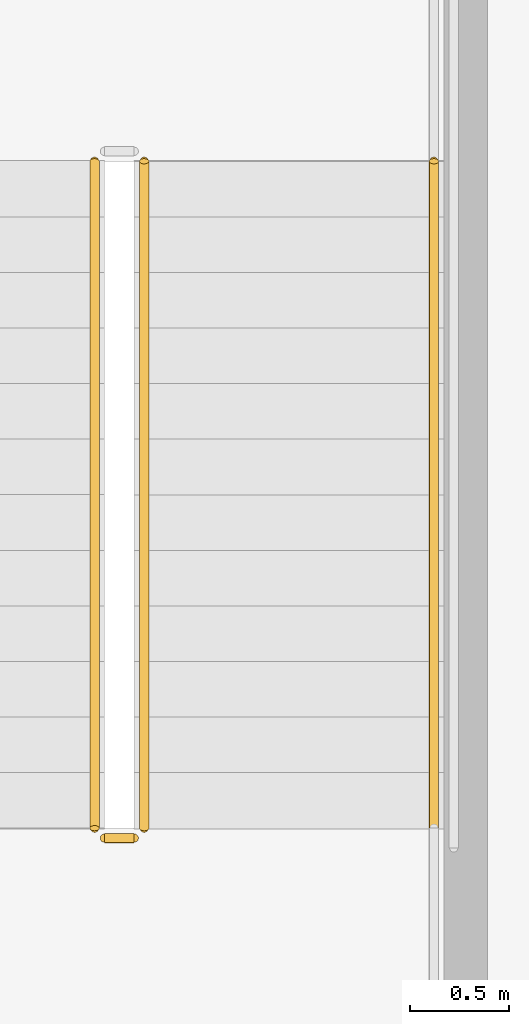
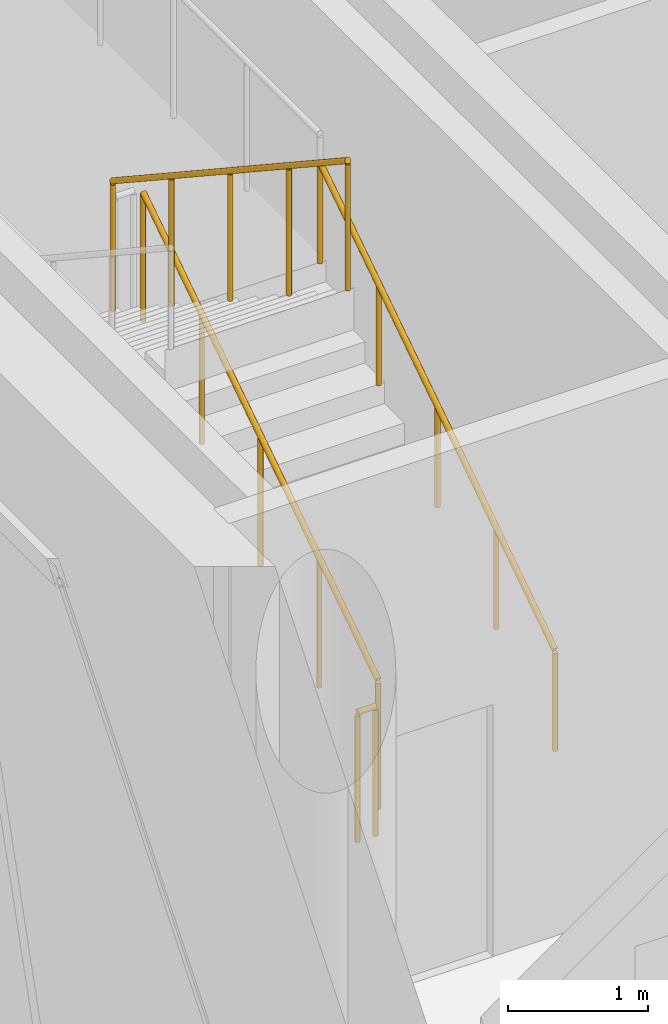
# One storey, part 13 of 15: 4 railings.
"""IFC4 building model written with IfcOpenShell, lengths in metres."""

from ifc_helpers import new_model, si_unit, direction, frame, origin, origin_2d, place, context, subcontext, project, spatial, circle, extrude, material, type_object, element, save


model = new_model("IFC4")

# Units and contexts
model_context = context("Model", 3, precision=1e-05, world=origin(), true_north=direction((0.0, 1.0)))
body_context = subcontext(model_context, "Body", "Model", "MODEL_VIEW")
ifc_project = project(units=[si_unit("LENGTHUNIT", "METRE"), si_unit("AREAUNIT", "SQUARE_METRE"), si_unit("VOLUMEUNIT", "CUBIC_METRE"), si_unit("PLANEANGLEUNIT", "RADIAN"), si_unit("MASSUNIT", "GRAM", prefix="KILO")], contexts=[model_context])

# Site, building, storey
site_placement = place(None, origin())
site = spatial("IfcSite", under=ifc_project, at=site_placement, CompositionType="ELEMENT")
building_placement = place(site_placement, origin())
building = spatial("IfcBuilding", under=site, at=building_placement, Name="Khairoan Windgate Tower", CompositionType="ELEMENT")
storey_placement = place(building_placement, frame((0.0, 0.0, 315.60009765625)))
storey = spatial("IfcBuildingStorey", under=building, at=storey_placement, Name="L76", CompositionType="ELEMENT", Elevation=315.60009765625)

# Railings
ifc_material_1 = material(Name="Anodised Bronze Aluminium 6063-T6", Category="aluminium")
railing_type_1 = type_object("IfcRailingType", Name="Stair Wall Handrail SHR-900", PredefinedType="HANDRAIL", material=ifc_material_1)
railing_1_placement = place(storey_placement, frame((-16.199951171875, 2.9599609375, 0.1845703125)))
element("IfcRailing", 1, at=railing_1_placement, inside=storey, type_object=railing_type_1, Name="L76 ST2 stair handrail 1", PredefinedType="HANDRAIL", context=body_context, shape_type="SweptSolid", body=[
    extrude(circle(Radius=0.02392578125, at=origin_2d()), frame((0.0, 0.0, 0.8759765625), z_axis=(0.0, 0.834876476806, 0.550437342915), x_axis=(-1.0, 0.0, 0.0)), (0.0, 0.0, 1.0), 4.024658203125),
    extrude(circle(Radius=0.02099609375, at=origin_2d()), origin(), (0.0, 0.0, 1.0), 0.851806640625),
    extrude(circle(Radius=0.02099609375, at=origin_2d()), frame((0.0, 0.840087890625, 0.5537109375)), (0.0, 0.0, 1.0), 0.851806640625),
    extrude(circle(Radius=0.02099609375, at=origin_2d()), frame((0.0, 1.68017578125, 1.107666015625)), (0.0, 0.0, 1.0), 0.851806640625),
    extrude(circle(Radius=0.02099609375, at=origin_2d()), frame((0.0, 2.52001953125, 1.66162109375)), (0.0, 0.0, 1.0), 0.851806640625),
    extrude(circle(Radius=0.02099609375, at=origin_2d()), frame((0.0, 3.360107421875, 2.21533203125)), (0.0, 0.0, 1.0), 0.851806640625),
])
ifc_material_2 = material(Name="Steel S355", Category="steel")
railing_type_2 = type_object("IfcRailingType", Name="Stairwell Safety Guardrail SGR-1150", PredefinedType="GUARDRAIL", material=ifc_material_2)
railing_2_placement = place(storey_placement, frame((-17.659912109375, 2.9599609375, 0.1845703125)))
element("IfcRailing", 2, at=railing_2_placement, inside=storey, type_object=railing_type_2, Name="L76 ST2 stair guard 1", PredefinedType="GUARDRAIL", context=body_context, shape_type="SweptSolid", body=[
    extrude(circle(Radius=0.02392578125, at=origin_2d()), frame((0.0, 0.0, 1.1259765625), z_axis=(0.0, 0.834876476806, 0.550437342915), x_axis=(-1.0, 0.0, 0.0)), (0.0, 0.0, 1.0), 4.024658203125),
    extrude(circle(Radius=0.02099609375, at=origin_2d()), origin(), (0.0, 0.0, 1.0), 1.101806640625),
    extrude(circle(Radius=0.02099609375, at=origin_2d()), frame((0.0, 0.840087890625, 0.5537109375)), (0.0, 0.0, 1.0), 1.101806640625),
    extrude(circle(Radius=0.02099609375, at=origin_2d()), frame((0.0, 1.68017578125, 1.107666015625)), (0.0, 0.0, 1.0), 1.101806640625),
    extrude(circle(Radius=0.02099609375, at=origin_2d()), frame((0.0, 2.52001953125, 1.66162109375)), (0.0, 0.0, 1.0), 1.101806640625),
    extrude(circle(Radius=0.02099609375, at=origin_2d()), frame((0.0, 3.360107421875, 2.21533203125)), (0.0, 0.0, 1.0), 1.101806640625),
])
railing_3_placement = place(storey_placement, frame((-17.909912109375, 6.320068359375, 2.58447265625)))
element("IfcRailing", 3, at=railing_3_placement, inside=storey, type_object=railing_type_2, Name="L76 ST2 stair guard 6", PredefinedType="GUARDRAIL", context=body_context, shape_type="SweptSolid", body=[
    extrude(circle(Radius=0.02392578125, at=origin_2d()), frame((0.0, 0.0, 1.1259765625), z_axis=(0.0, -0.834876476806, 0.550437342915), x_axis=(1.0, 0.0, 0.0)), (0.0, 0.0, 1.0), 4.024658203125),
    extrude(circle(Radius=0.02099609375, at=origin_2d()), origin(), (0.0, 0.0, 1.0), 1.101806640625),
    extrude(circle(Radius=0.02099609375, at=origin_2d()), frame((0.0, -0.840087890625, 0.5537109375)), (0.0, 0.0, 1.0), 1.101806640625),
    extrude(circle(Radius=0.02099609375, at=origin_2d()), frame((0.0, -1.68017578125, 1.107666015625)), (0.0, 0.0, 1.0), 1.101806640625),
    extrude(circle(Radius=0.02099609375, at=origin_2d()), frame((0.0, -2.52001953125, 1.66162109375)), (0.0, 0.0, 1.0), 1.101806640625),
    extrude(circle(Radius=0.02099609375, at=origin_2d()), frame((0.0, -3.360107421875, 2.21533203125)), (0.0, 0.0, 1.0), 1.101806640625),
])
railing_4_placement = place(storey_placement, frame((-17.7099609375, 2.909912109375, 0.0)))
element("IfcRailing", 4, at=railing_4_placement, inside=storey, type_object=railing_type_2, Name="L76 ST2 stair guard 7", PredefinedType="GUARDRAIL", context=body_context, shape_type="SweptSolid", body=[
    extrude(circle(Radius=0.02392578125, at=origin_2d()), frame((0.0, 0.0, 1.1259765625), z_axis=(-1.0, 0.0, 0.0), x_axis=(0.0, -1.0, 0.0)), (0.0, 0.0, 1.0), 0.150146484375),
    extrude(circle(Radius=0.02099609375, at=origin_2d()), origin(), (0.0, 0.0, 1.0), 1.101806640625),
    extrude(circle(Radius=0.02099609375, at=origin_2d()), frame((-0.150146484375, 0.0, 0.0)), (0.0, 0.0, 1.0), 1.101806640625),
])

save(model, "model.ifc")
